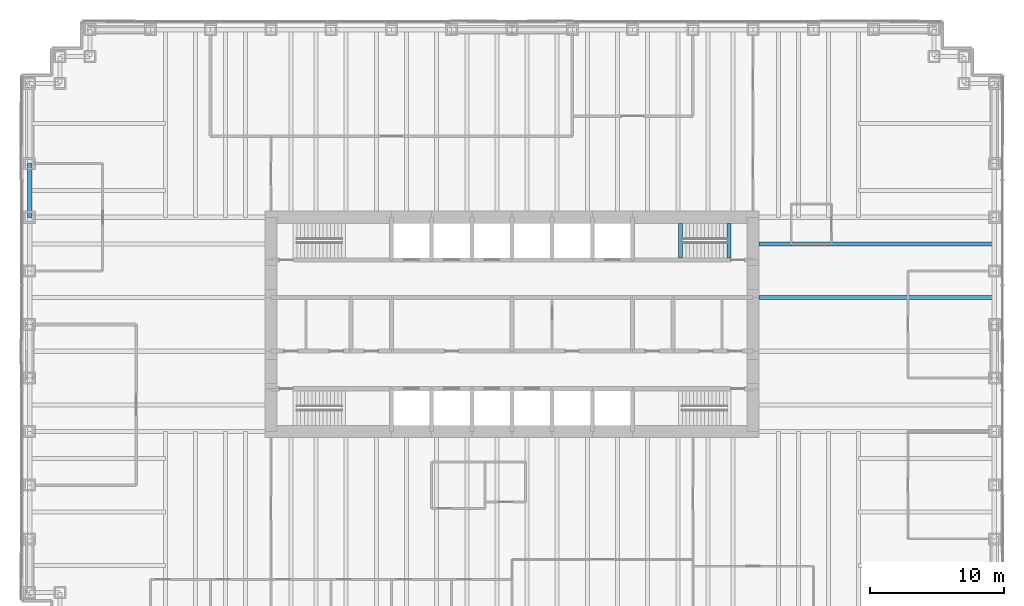
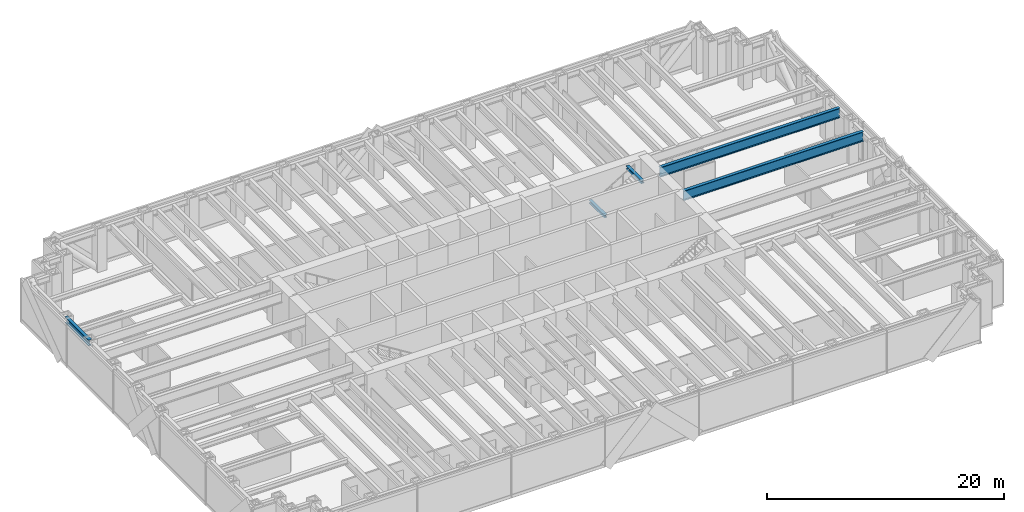
# One storey, part 4 of 13: 5 beams.
"""IFC4 building model written with IfcOpenShell, lengths in metres."""

from ifc_helpers import new_model, si_unit, direction, frame, origin, origin_2d, place, context, subcontext, project, spatial, i_section, extrude, material, material_profile, profile_set, type_object, element, save


model = new_model("IFC4")

# Units and contexts
model_context = context("Model", 3, precision=1e-05, world=origin(), true_north=direction((0.0, 1.0)))
body_context = subcontext(model_context, "Body", "Model", "MODEL_VIEW")
ifc_project = project(units=[si_unit("LENGTHUNIT", "METRE"), si_unit("AREAUNIT", "SQUARE_METRE"), si_unit("VOLUMEUNIT", "CUBIC_METRE"), si_unit("PLANEANGLEUNIT", "RADIAN"), si_unit("MASSUNIT", "GRAM", prefix="KILO")], contexts=[model_context])

# Site, building, storey
site_placement = place(None, origin())
site = spatial("IfcSite", under=ifc_project, at=site_placement, CompositionType="ELEMENT")
building_placement = place(site_placement, origin())
building = spatial("IfcBuilding", under=site, at=building_placement, Name="Rheinbord Bourse Tower", CompositionType="ELEMENT")
storey_placement = place(building_placement, frame((0.0, 0.0, 59.0)))
storey = spatial("IfcBuildingStorey", under=building, at=storey_placement, Name="L12", CompositionType="ELEMENT", Elevation=59.0)

# Beams
ifc_material_1 = material(Name="Steel S460", Category="steel")
ifc_material_profile_1 = material_profile(ifc_material_1, i_section(OverallWidth=0.302001953125, OverallDepth=1.008056640625, WebThickness=0.02099609375, FlangeThickness=0.0400390625, at=origin_2d()), Name="HEM 1000")
ifc_profile_set_1 = profile_set([ifc_material_profile_1], Name="Steel S460")
beam_type_1 = type_object("IfcBeamType", Name="END BEAM HEM 1000", PredefinedType="BEAM", material=ifc_profile_set_1)
for number, where, z_axis, x_axis, name in (
    (1, (54.449951171875, 26.0, 3.81591796875), (1.0, 0.0, 0.0), (0.0, 1.0, 0.0), "End beam east 26 L13"),
    (2, (54.449951171875, 30.0, 3.81591796875), (1.0, 0.0, 0.0), (0.0, 1.0, 0.0), "End beam east 30 L13"),
):
    element("IfcBeam", number, at=place(storey_placement, frame(where, z_axis=z_axis, x_axis=x_axis)), inside=storey, type_object=beam_type_1, Name=name, PredefinedType="BEAM", context=body_context, shape_type="SweptSolid", body=[
        extrude(i_section(OverallWidth=0.302001953125, OverallDepth=1.008056640625, WebThickness=0.02099609375, FlangeThickness=0.0400390625, at=origin_2d()), origin(), (0.0, 0.0, 1.0), 17.550048828125),
    ])
ifc_material_2 = material(Name="Steel S460", Category="steel")
ifc_material_profile_2 = material_profile(ifc_material_2, i_section(OverallWidth=0.300048828125, OverallDepth=0.300048828125, WebThickness=0.010986328125, FlangeThickness=0.01904296875, at=origin_2d()), Name="HEB 300")
ifc_profile_set_2 = profile_set([ifc_material_profile_2], Name="Steel S460")
beam_type_2 = type_object("IfcBeamType", Name="LANDING TRIMMER HEB 300", PredefinedType="BEAM", material=ifc_profile_set_2)
for number, where, z_axis, x_axis, name in (
    (3, (48.590087890625, 28.949951171875, 1.89990234375), (0.0, 1.0, 0.0), (-1.0, 0.0, 0.0), "Landing trimmer ST4 L12"),
    (4, (52.199951171875, 28.949951171875, 4.169921875), (0.0, 1.0, 0.0), (-1.0, 0.0, 0.0), "Well trimmer ST4 under L13"),
):
    element("IfcBeam", number, at=place(storey_placement, frame(where, z_axis=z_axis, x_axis=x_axis)), inside=storey, type_object=beam_type_2, Name=name, PredefinedType="BEAM", context=body_context, shape_type="SweptSolid", body=[
        extrude(i_section(OverallWidth=0.300048828125, OverallDepth=0.300048828125, WebThickness=0.010986328125, FlangeThickness=0.01904296875, at=origin_2d()), origin(), (0.0, 0.0, 1.0), 2.60009765625),
    ])
ifc_material_3 = material(Name="Steel S460", Category="steel")
ifc_material_profile_3 = material_profile(ifc_material_3, i_section(OverallWidth=0.304931640625, OverallDepth=0.6201171875, WebThickness=0.02099609375, FlangeThickness=0.0400390625, at=origin_2d()), Name="HEM 600")
ifc_profile_set_3 = profile_set([ifc_material_profile_3], Name="Steel S460")
beam_type_3 = type_object("IfcBeamType", Name="SPANDREL HEM 600", PredefinedType="SPANDREL", material=ifc_profile_set_3)
beam_placement = place(storey_placement, frame((0.0, 36.0, 4.010009765625), z_axis=(0.0, -1.0, 0.0), x_axis=(1.0, 0.0, 0.0)))
element("IfcBeam", 5, at=beam_placement, inside=storey, type_object=beam_type_3, Name="Spandrel W-36-W-32 under L13", PredefinedType="SPANDREL", context=body_context, shape_type="SweptSolid", body=[
    extrude(i_section(OverallWidth=0.304931640625, OverallDepth=0.6201171875, WebThickness=0.02099609375, FlangeThickness=0.0400390625, at=origin_2d()), origin(), (0.0, 0.0, 1.0), 4.0),
])

save(model, "model.ifc")
